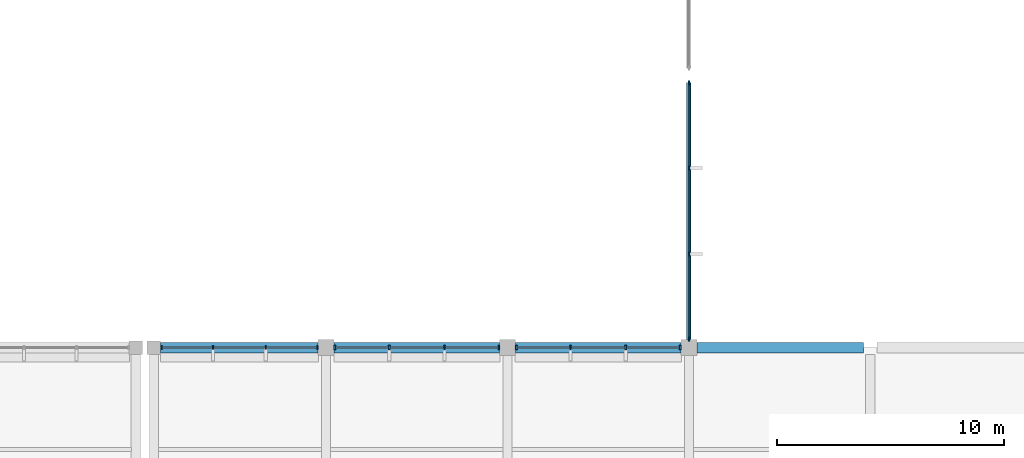
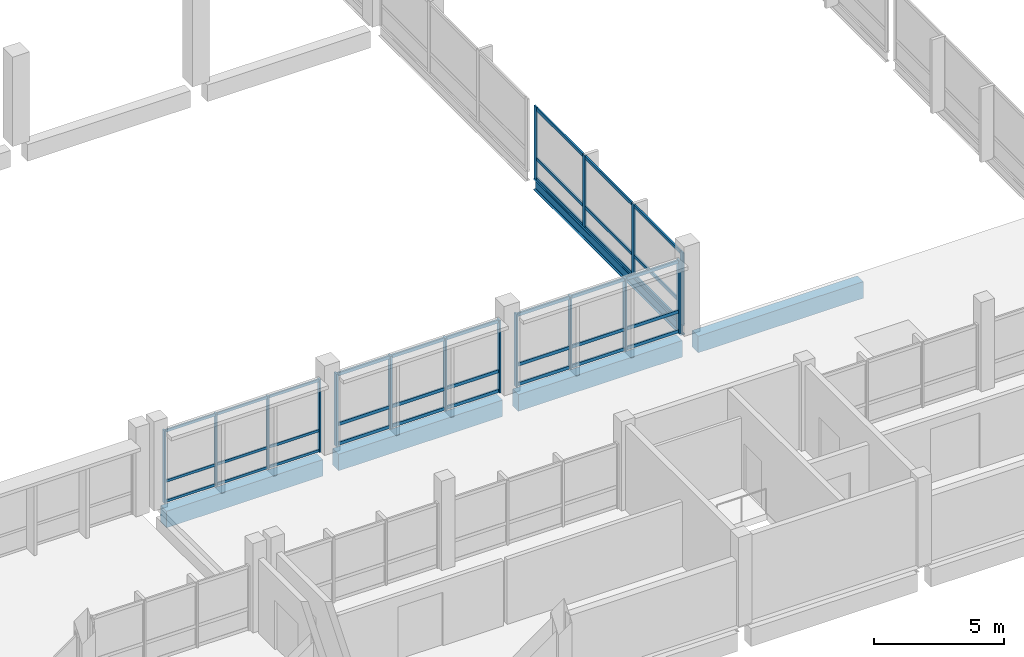
# One storey, part 14 of 70: 52 members, 5 beams, 4 elements without a shape of their own.
"""IFC4 building model written with IfcOpenShell, lengths in metres."""

from ifc_helpers import new_model, si_unit, direction, frame, origin, origin_2d, place, context, subcontext, project, spatial, rectangle, i_section, extrude, material, material_profile, profile_set, type_object, element, aggregate, save


model = new_model("IFC4")

# Units and contexts
model_context = context("Model", 3, precision=1e-05, world=origin(), true_north=direction((0.0, 1.0)))
body_context = subcontext(model_context, "Body", "Model", "MODEL_VIEW")
ifc_project = project(units=[si_unit("LENGTHUNIT", "METRE"), si_unit("AREAUNIT", "SQUARE_METRE"), si_unit("VOLUMEUNIT", "CUBIC_METRE"), si_unit("PLANEANGLEUNIT", "RADIAN"), si_unit("MASSUNIT", "GRAM", prefix="KILO"), si_unit("THERMODYNAMICTEMPERATUREUNIT", "KELVIN"), si_unit("POWERUNIT", "WATT")], contexts=[model_context])

# Site, building, storey
site_placement = place(None, origin())
site = spatial("IfcSite", under=ifc_project, at=site_placement, CompositionType="ELEMENT")
building_placement = place(site_placement, origin())
building = spatial("IfcBuilding", under=site, at=building_placement, Name="Kronsvod Quay Wholesale Market", CompositionType="ELEMENT")
storey_placement = place(building_placement, frame((0.0, 0.0, 9.0)))
storey = spatial("IfcBuildingStorey", under=building, at=storey_placement, Name="L02", CompositionType="ELEMENT", Elevation=9.0)

# Beams
ifc_material_1 = material(Name="Precast concrete C40/50", Category="concrete")
ifc_material_profile_1 = material_profile(ifc_material_1, rectangle(XDim=0.4599609375, YDim=0.780029296875, at=origin_2d()), Name="PB-03")
ifc_profile_set_1 = profile_set([ifc_material_profile_1], Name="Precast concrete C40/50")
beam_type_1 = type_object("IfcBeamType", Name="Beam_PCB460x780", PredefinedType="BEAM", material=ifc_profile_set_1)
beam_1_placement = place(storey_placement, frame((64.699951171875, 54.0, -0.64990234375), z_axis=(1.0, 0.0, 0.0), x_axis=(0.0, 1.0, 0.0)))
element("IfcBeam", 1, at=beam_1_placement, inside=storey, type_object=beam_type_1, Name="BMX-L02-644-540", PredefinedType="BEAM", context=body_context, shape_type="SweptSolid", body=[
    extrude(rectangle(XDim=0.4599609375, YDim=0.780029296875, at=origin_2d()), origin(), (0.0, 0.0, 1.0), 6.949951171875),
])
for number, where, z_axis, x_axis, name in (
    (2, (72.35009765625, 54.0, -0.64990234375), (1.0, 0.0, 0.0), (0.0, 1.0, 0.0), "BMX-L02-720-540"),
    (3, (80.35009765625, 54.0, -0.64990234375), (1.0, 0.0, 0.0), (0.0, 1.0, 0.0), "BMX-L02-800-540"),
):
    element("IfcBeam", number, at=place(storey_placement, frame(where, z_axis=z_axis, x_axis=x_axis)), inside=storey, type_object=beam_type_1, Name=name, PredefinedType="BEAM", context=body_context, shape_type="SweptSolid", body=[
        extrude(rectangle(XDim=0.4599609375, YDim=0.780029296875, at=origin_2d()), origin(), (0.0, 0.0, 1.0), 7.2998046875),
    ])
beam_2_placement = place(storey_placement, frame((88.35009765625, 54.0, -0.699951171875), z_axis=(1.0, 0.0, 0.0), x_axis=(0.0, 1.0, 0.0)))
element("IfcBeam", 4, at=beam_2_placement, inside=storey, type_object=beam_type_1, Name="BMX-L02-880-540", PredefinedType="BEAM", context=body_context, shape_type="SweptSolid", body=[
    extrude(rectangle(XDim=0.4599609375, YDim=0.780029296875, at=origin_2d()), origin(), (0.0, 0.0, 1.0), 7.349853515625),
])
ifc_material_2 = material(Name="Steel S355", Category="steel")
ifc_material_profile_2 = material_profile(ifc_material_2, i_section(OverallWidth=0.198974609375, OverallDepth=0.49609375, WebThickness=0.009033203125, FlangeThickness=0.013916015625, FilletRadius=0.02001953125, at=origin_2d()), Name="50B1")
ifc_profile_set_2 = profile_set([ifc_material_profile_2], Name="Steel S355")
beam_type_2 = type_object("IfcBeamType", Name="Girder_Steel50B1", PredefinedType="T_BEAM", material=ifc_profile_set_2)
beam_3_placement = place(storey_placement, frame((88.0, 54.35009765625, -0.22802734375), z_axis=(0.0, 1.0, 0.0), x_axis=(-1.0, 0.0, 0.0)))
element("IfcBeam", 5, at=beam_3_placement, inside=storey, type_object=beam_type_2, Name="BMY-L02-880-540", PredefinedType="T_BEAM", context=body_context, shape_type="SweptSolid", body=[
    extrude(i_section(OverallWidth=0.198974609375, OverallDepth=0.49609375, WebThickness=0.009033203125, FlangeThickness=0.013916015625, FilletRadius=0.02001953125, at=origin_2d()), origin(), (0.0, 0.0, 1.0), 11.349853515625),
])

# Curtain wall, members
ifc_material_3 = material(Name="Thermally broken aluminium and triple low-E glazing", Category="aluminium")
curtain_wall_type_1 = type_object("IfcCurtainWallType", Name="CW_Clerestory80x32", PredefinedType="NOTDEFINED", material=ifc_material_3)
curtain_wall_1_placement = place(storey_placement, origin())
curtain_wall_1 = element("IfcCurtainWall", 6, at=curtain_wall_1_placement, inside=storey, type_object=curtain_wall_type_1, Name="CWGX-L02-644-540", PredefinedType="NOTDEFINED")
ifc_material_4 = material(Name="Anodised aluminium", Category="aluminium")
ifc_material_profile_3 = material_profile(ifc_material_4, rectangle(XDim=0.06494140625, YDim=0.159912109375, at=origin_2d()), Name="ALUM65x160")
ifc_profile_set_3 = profile_set([ifc_material_profile_3], Name="Anodised aluminium")
member_type_1 = type_object("IfcMemberType", Name="Mullion_ALU65x160", PredefinedType="MULLION", material=ifc_profile_set_3)
member_1_placement = place(storey_placement, frame((64.7275390625, 54.0, 0.0), z_axis=(0.0, 0.0, 1.0), x_axis=(1.0, 0.0, 0.0)))
member_1 = element("IfcMember", 7, at=member_1_placement, type_object=member_type_1, Name="CWGX-L02-644-540-M1", PredefinedType="MULLION", context=body_context, shape_type="SweptSolid", body=[
    extrude(rectangle(XDim=0.06494140625, YDim=0.159912109375, at=origin_2d()), origin(), (0.0, 0.0, 1.0), 3.419921875),
])
member_2_placement = place(storey_placement, frame((67.014892578125, 54.0, 0.0), z_axis=(0.0, 0.0, 1.0), x_axis=(1.0, 0.0, 0.0)))
member_2 = element("IfcMember", 8, at=member_2_placement, type_object=member_type_1, Name="CWGX-L02-644-540-M2", PredefinedType="MULLION", context=body_context, shape_type="SweptSolid", body=[
    extrude(rectangle(XDim=0.06494140625, YDim=0.159912109375, at=origin_2d()), origin(), (0.0, 0.0, 1.0), 3.419921875),
])
member_3_placement = place(storey_placement, frame((69.3349609375, 54.0, 0.0), z_axis=(0.0, 0.0, 1.0), x_axis=(1.0, 0.0, 0.0)))
member_3 = element("IfcMember", 9, at=member_3_placement, type_object=member_type_1, Name="CWGX-L02-644-540-M3", PredefinedType="MULLION", context=body_context, shape_type="SweptSolid", body=[
    extrude(rectangle(XDim=0.06494140625, YDim=0.159912109375, at=origin_2d()), origin(), (0.0, 0.0, 1.0), 3.419921875),
])
member_4_placement = place(storey_placement, frame((71.62255859375, 54.0, 0.0), z_axis=(0.0, 0.0, 1.0), x_axis=(1.0, 0.0, 0.0)))
member_4 = element("IfcMember", 10, at=member_4_placement, type_object=member_type_1, Name="CWGX-L02-644-540-M4", PredefinedType="MULLION", context=body_context, shape_type="SweptSolid", body=[
    extrude(rectangle(XDim=0.06494140625, YDim=0.159912109375, at=origin_2d()), origin(), (0.0, 0.0, 1.0), 3.419921875),
])

curtain_wall_2_placement = place(storey_placement, origin())
curtain_wall_2 = element("IfcCurtainWall", 11, at=curtain_wall_2_placement, inside=storey, type_object=curtain_wall_type_1, Name="CWGX-L02-720-540", PredefinedType="NOTDEFINED")
ifc_material_5 = material(Name="Anodised aluminium", Category="aluminium")
ifc_material_profile_4 = material_profile(ifc_material_5, rectangle(XDim=0.074951171875, YDim=0.199951171875, at=origin_2d()), Name="ALUM75x200")
ifc_profile_set_4 = profile_set([ifc_material_profile_4], Name="Anodised aluminium")
member_type_2 = type_object("IfcMemberType", Name="Mullion_ALU75x200", PredefinedType="MULLION", material=ifc_profile_set_4)
member_5_placement = place(storey_placement, frame((72.382568359375, 54.0, 0.0), z_axis=(0.0, 0.0, 1.0), x_axis=(1.0, 0.0, 0.0)))
member_5 = element("IfcMember", 12, at=member_5_placement, type_object=member_type_2, Name="CWGX-L02-720-540-M1", PredefinedType="MULLION", context=body_context, shape_type="SweptSolid", body=[
    extrude(rectangle(XDim=0.074951171875, YDim=0.199951171875, at=origin_2d()), origin(), (0.0, 0.0, 1.0), 3.419921875),
])
member_6_placement = place(storey_placement, frame((74.78173828125, 54.0, 0.0), z_axis=(0.0, 0.0, 1.0), x_axis=(1.0, 0.0, 0.0)))
member_6 = element("IfcMember", 13, at=member_6_placement, type_object=member_type_2, Name="CWGX-L02-720-540-M2", PredefinedType="MULLION", context=body_context, shape_type="SweptSolid", body=[
    extrude(rectangle(XDim=0.074951171875, YDim=0.199951171875, at=origin_2d()), origin(), (0.0, 0.0, 1.0), 3.419921875),
])
member_7_placement = place(storey_placement, frame((77.21826171875, 54.0, 0.0), z_axis=(0.0, 0.0, 1.0), x_axis=(1.0, 0.0, 0.0)))
member_7 = element("IfcMember", 14, at=member_7_placement, type_object=member_type_2, Name="CWGX-L02-720-540-M3", PredefinedType="MULLION", context=body_context, shape_type="SweptSolid", body=[
    extrude(rectangle(XDim=0.074951171875, YDim=0.199951171875, at=origin_2d()), origin(), (0.0, 0.0, 1.0), 3.419921875),
])
member_8_placement = place(storey_placement, frame((79.617431640625, 54.0, 0.0), z_axis=(0.0, 0.0, 1.0), x_axis=(1.0, 0.0, 0.0)))
member_8 = element("IfcMember", 15, at=member_8_placement, type_object=member_type_2, Name="CWGX-L02-720-540-M4", PredefinedType="MULLION", context=body_context, shape_type="SweptSolid", body=[
    extrude(rectangle(XDim=0.074951171875, YDim=0.199951171875, at=origin_2d()), origin(), (0.0, 0.0, 1.0), 3.419921875),
])

curtain_wall_3_placement = place(storey_placement, origin())
curtain_wall_3 = element("IfcCurtainWall", 16, at=curtain_wall_3_placement, inside=storey, type_object=curtain_wall_type_1, Name="CWGX-L02-800-540", PredefinedType="NOTDEFINED")
member_9_placement = place(storey_placement, frame((80.382568359375, 54.0, 0.0), z_axis=(0.0, 0.0, 1.0), x_axis=(1.0, 0.0, 0.0)))
member_9 = element("IfcMember", 17, at=member_9_placement, type_object=member_type_2, Name="CWGX-L02-800-540-M1", PredefinedType="MULLION", context=body_context, shape_type="SweptSolid", body=[
    extrude(rectangle(XDim=0.074951171875, YDim=0.199951171875, at=origin_2d()), origin(), (0.0, 0.0, 1.0), 3.419921875),
])
member_10_placement = place(storey_placement, frame((82.78173828125, 54.0, 0.0), z_axis=(0.0, 0.0, 1.0), x_axis=(1.0, 0.0, 0.0)))
member_10 = element("IfcMember", 18, at=member_10_placement, type_object=member_type_2, Name="CWGX-L02-800-540-M2", PredefinedType="MULLION", context=body_context, shape_type="SweptSolid", body=[
    extrude(rectangle(XDim=0.074951171875, YDim=0.199951171875, at=origin_2d()), origin(), (0.0, 0.0, 1.0), 3.419921875),
])
member_11_placement = place(storey_placement, frame((85.21826171875, 54.0, 0.0), z_axis=(0.0, 0.0, 1.0), x_axis=(1.0, 0.0, 0.0)))
member_11 = element("IfcMember", 19, at=member_11_placement, type_object=member_type_2, Name="CWGX-L02-800-540-M3", PredefinedType="MULLION", context=body_context, shape_type="SweptSolid", body=[
    extrude(rectangle(XDim=0.074951171875, YDim=0.199951171875, at=origin_2d()), origin(), (0.0, 0.0, 1.0), 3.419921875),
])
member_12_placement = place(storey_placement, frame((87.617431640625, 54.0, 0.0), z_axis=(0.0, 0.0, 1.0), x_axis=(1.0, 0.0, 0.0)))
member_12 = element("IfcMember", 20, at=member_12_placement, type_object=member_type_2, Name="CWGX-L02-800-540-M4", PredefinedType="MULLION", context=body_context, shape_type="SweptSolid", body=[
    extrude(rectangle(XDim=0.074951171875, YDim=0.199951171875, at=origin_2d()), origin(), (0.0, 0.0, 1.0), 3.419921875),
])

ifc_material_6 = material(Name="Thermally broken aluminium and triple low-E glazing", Category="aluminium")
curtain_wall_type_2 = type_object("IfcCurtainWallType", Name="CW_Court120x35", PredefinedType="NOTDEFINED", material=ifc_material_6)
curtain_wall_4_placement = place(storey_placement, origin())
curtain_wall_4 = element("IfcCurtainWall", 21, at=curtain_wall_4_placement, inside=storey, type_object=curtain_wall_type_2, Name="CWGY-L02-880-540", PredefinedType="NOTDEFINED")
member_13_placement = place(storey_placement, frame((88.0, 54.382568359375, 0.0), z_axis=(0.0, 0.0, 1.0), x_axis=(1.0, 0.0, 0.0)))
member_13 = element("IfcMember", 22, at=member_13_placement, type_object=member_type_2, Name="CWGY-L02-880-540-M1", PredefinedType="MULLION", context=body_context, shape_type="SweptSolid", body=[
    extrude(rectangle(XDim=0.074951171875, YDim=0.199951171875, at=origin_2d()), origin(), (0.0, 0.0, 1.0), 3.419921875),
])
member_14_placement = place(storey_placement, frame((88.0, 58.131591796875, 0.0), z_axis=(0.0, 0.0, 1.0), x_axis=(1.0, 0.0, 0.0)))
member_14 = element("IfcMember", 23, at=member_14_placement, type_object=member_type_2, Name="CWGY-L02-880-540-M2", PredefinedType="MULLION", context=body_context, shape_type="SweptSolid", body=[
    extrude(rectangle(XDim=0.074951171875, YDim=0.199951171875, at=origin_2d()), origin(), (0.0, 0.0, 1.0), 3.419921875),
])
member_15_placement = place(storey_placement, frame((88.0, 61.918212890625, 0.0), z_axis=(0.0, 0.0, 1.0), x_axis=(1.0, 0.0, 0.0)))
member_15 = element("IfcMember", 24, at=member_15_placement, type_object=member_type_2, Name="CWGY-L02-880-540-M3", PredefinedType="MULLION", context=body_context, shape_type="SweptSolid", body=[
    extrude(rectangle(XDim=0.074951171875, YDim=0.199951171875, at=origin_2d()), origin(), (0.0, 0.0, 1.0), 3.419921875),
])
member_16_placement = place(storey_placement, frame((88.0, 65.66748046875, 0.0), z_axis=(0.0, 0.0, 1.0), x_axis=(1.0, 0.0, 0.0)))
member_16 = element("IfcMember", 25, at=member_16_placement, type_object=member_type_2, Name="CWGY-L02-880-540-M4", PredefinedType="MULLION", context=body_context, shape_type="SweptSolid", body=[
    extrude(rectangle(XDim=0.074951171875, YDim=0.199951171875, at=origin_2d()), origin(), (0.0, 0.0, 1.0), 3.419921875),
])

# Member
ifc_material_7 = material(Name="Anodised aluminium", Category="aluminium")
ifc_material_profile_5 = material_profile(ifc_material_7, rectangle(XDim=0.06494140625, YDim=0.1201171875, at=origin_2d()), Name="ALUT65x120")
ifc_profile_set_5 = profile_set([ifc_material_profile_5], Name="Anodised aluminium")
member_type_3 = type_object("IfcMemberType", Name="Transom_ALU65x120", PredefinedType="USERDEFINED", material=ifc_profile_set_5)
member_17_placement = place(storey_placement, frame((64.760009765625, 54.0, 0.06005859375), z_axis=(1.0, 0.0, 0.0), x_axis=(0.0, 1.0, 0.0)))
member_17 = element("IfcMember", 26, at=member_17_placement, type_object=member_type_3, Name="CWGX-L02-644-540-T1B1", ObjectType="TRANSOM", PredefinedType="USERDEFINED", context=body_context, shape_type="SweptSolid", body=[
    extrude(rectangle(XDim=0.06494140625, YDim=0.1201171875, at=origin_2d()), origin(), (0.0, 0.0, 1.0), 2.222412109375),
])

member_18_placement = place(storey_placement, frame((67.047607421875, 54.0, 0.06005859375), z_axis=(1.0, 0.0, 0.0), x_axis=(0.0, 1.0, 0.0)))
member_18 = element("IfcMember", 27, at=member_18_placement, type_object=member_type_3, Name="CWGX-L02-644-540-T1B2", ObjectType="TRANSOM", PredefinedType="USERDEFINED", context=body_context, shape_type="SweptSolid", body=[
    extrude(rectangle(XDim=0.06494140625, YDim=0.1201171875, at=origin_2d()), origin(), (0.0, 0.0, 1.0), 2.2548828125),
])

member_19_placement = place(storey_placement, frame((69.367431640625, 54.0, 0.06005859375), z_axis=(1.0, 0.0, 0.0), x_axis=(0.0, 1.0, 0.0)))
member_19 = element("IfcMember", 28, at=member_19_placement, type_object=member_type_3, Name="CWGX-L02-644-540-T1B3", ObjectType="TRANSOM", PredefinedType="USERDEFINED", context=body_context, shape_type="SweptSolid", body=[
    extrude(rectangle(XDim=0.06494140625, YDim=0.1201171875, at=origin_2d()), origin(), (0.0, 0.0, 1.0), 2.22265625),
])

member_20_placement = place(storey_placement, frame((64.760009765625, 54.0, 1.0), z_axis=(1.0, 0.0, 0.0), x_axis=(0.0, 1.0, 0.0)))
member_20 = element("IfcMember", 29, at=member_20_placement, type_object=member_type_3, Name="CWGX-L02-644-540-T2B1", ObjectType="TRANSOM", PredefinedType="USERDEFINED", context=body_context, shape_type="SweptSolid", body=[
    extrude(rectangle(XDim=0.06494140625, YDim=0.1201171875, at=origin_2d()), origin(), (0.0, 0.0, 1.0), 2.222412109375),
])

member_21_placement = place(storey_placement, frame((67.047607421875, 54.0, 1.0), z_axis=(1.0, 0.0, 0.0), x_axis=(0.0, 1.0, 0.0)))
member_21 = element("IfcMember", 30, at=member_21_placement, type_object=member_type_3, Name="CWGX-L02-644-540-T2B2", ObjectType="TRANSOM", PredefinedType="USERDEFINED", context=body_context, shape_type="SweptSolid", body=[
    extrude(rectangle(XDim=0.06494140625, YDim=0.1201171875, at=origin_2d()), origin(), (0.0, 0.0, 1.0), 2.2548828125),
])

member_22_placement = place(storey_placement, frame((69.367431640625, 54.0, 1.0), z_axis=(1.0, 0.0, 0.0), x_axis=(0.0, 1.0, 0.0)))
member_22 = element("IfcMember", 31, at=member_22_placement, type_object=member_type_3, Name="CWGX-L02-644-540-T2B3", ObjectType="TRANSOM", PredefinedType="USERDEFINED", context=body_context, shape_type="SweptSolid", body=[
    extrude(rectangle(XDim=0.06494140625, YDim=0.1201171875, at=origin_2d()), origin(), (0.0, 0.0, 1.0), 2.22265625),
])

member_23_placement = place(storey_placement, frame((64.760009765625, 54.0, 3.360107421875), z_axis=(1.0, 0.0, 0.0), x_axis=(0.0, 1.0, 0.0)))
member_23 = element("IfcMember", 32, at=member_23_placement, type_object=member_type_3, Name="CWGX-L02-644-540-T3B1", ObjectType="TRANSOM", PredefinedType="USERDEFINED", context=body_context, shape_type="SweptSolid", body=[
    extrude(rectangle(XDim=0.06494140625, YDim=0.1201171875, at=origin_2d()), origin(), (0.0, 0.0, 1.0), 2.222412109375),
])

member_24_placement = place(storey_placement, frame((67.047607421875, 54.0, 3.360107421875), z_axis=(1.0, 0.0, 0.0), x_axis=(0.0, 1.0, 0.0)))
member_24 = element("IfcMember", 33, at=member_24_placement, type_object=member_type_3, Name="CWGX-L02-644-540-T3B2", ObjectType="TRANSOM", PredefinedType="USERDEFINED", context=body_context, shape_type="SweptSolid", body=[
    extrude(rectangle(XDim=0.06494140625, YDim=0.1201171875, at=origin_2d()), origin(), (0.0, 0.0, 1.0), 2.2548828125),
])

member_25_placement = place(storey_placement, frame((69.367431640625, 54.0, 3.360107421875), z_axis=(1.0, 0.0, 0.0), x_axis=(0.0, 1.0, 0.0)))
member_25 = element("IfcMember", 34, at=member_25_placement, type_object=member_type_3, Name="CWGX-L02-644-540-T3B3", ObjectType="TRANSOM", PredefinedType="USERDEFINED", context=body_context, shape_type="SweptSolid", body=[
    extrude(rectangle(XDim=0.06494140625, YDim=0.1201171875, at=origin_2d()), origin(), (0.0, 0.0, 1.0), 2.22265625),
])

aggregate(curtain_wall_1, [member_1, member_2, member_3, member_4, member_17, member_18, member_19, member_20, member_21, member_22, member_23, member_24, member_25])

ifc_material_8 = material(Name="Anodised aluminium", Category="aluminium")
ifc_material_profile_6 = material_profile(ifc_material_8, rectangle(XDim=0.074951171875, YDim=0.14990234375, at=origin_2d()), Name="ALUT75x150")
ifc_profile_set_6 = profile_set([ifc_material_profile_6], Name="Anodised aluminium")
member_type_4 = type_object("IfcMemberType", Name="Transom_ALU75x150", PredefinedType="USERDEFINED", material=ifc_profile_set_6)
member_26_placement = place(storey_placement, frame((72.419921875, 54.0, 0.074951171875), z_axis=(1.0, 0.0, 0.0), x_axis=(0.0, 1.0, 0.0)))
member_26 = element("IfcMember", 35, at=member_26_placement, type_object=member_type_4, Name="CWGX-L02-720-540-T1B1", ObjectType="TRANSOM", PredefinedType="USERDEFINED", context=body_context, shape_type="SweptSolid", body=[
    extrude(rectangle(XDim=0.074951171875, YDim=0.14990234375, at=origin_2d()), origin(), (0.0, 0.0, 1.0), 2.32421875),
])

member_27_placement = place(storey_placement, frame((74.819091796875, 54.0, 0.074951171875), z_axis=(1.0, 0.0, 0.0), x_axis=(0.0, 1.0, 0.0)))
member_27 = element("IfcMember", 36, at=member_27_placement, type_object=member_type_4, Name="CWGX-L02-720-540-T1B2", ObjectType="TRANSOM", PredefinedType="USERDEFINED", context=body_context, shape_type="SweptSolid", body=[
    extrude(rectangle(XDim=0.074951171875, YDim=0.14990234375, at=origin_2d()), origin(), (0.0, 0.0, 1.0), 2.36181640625),
])

member_28_placement = place(storey_placement, frame((77.255859375, 54.0, 0.074951171875), z_axis=(1.0, 0.0, 0.0), x_axis=(0.0, 1.0, 0.0)))
member_28 = element("IfcMember", 37, at=member_28_placement, type_object=member_type_4, Name="CWGX-L02-720-540-T1B3", ObjectType="TRANSOM", PredefinedType="USERDEFINED", context=body_context, shape_type="SweptSolid", body=[
    extrude(rectangle(XDim=0.074951171875, YDim=0.14990234375, at=origin_2d()), origin(), (0.0, 0.0, 1.0), 2.32421875),
])

member_29_placement = place(storey_placement, frame((72.419921875, 54.0, 1.0), z_axis=(1.0, 0.0, 0.0), x_axis=(0.0, 1.0, 0.0)))
member_29 = element("IfcMember", 38, at=member_29_placement, type_object=member_type_4, Name="CWGX-L02-720-540-T2B1", ObjectType="TRANSOM", PredefinedType="USERDEFINED", context=body_context, shape_type="SweptSolid", body=[
    extrude(rectangle(XDim=0.074951171875, YDim=0.14990234375, at=origin_2d()), origin(), (0.0, 0.0, 1.0), 2.32421875),
])

member_30_placement = place(storey_placement, frame((74.819091796875, 54.0, 1.0), z_axis=(1.0, 0.0, 0.0), x_axis=(0.0, 1.0, 0.0)))
member_30 = element("IfcMember", 39, at=member_30_placement, type_object=member_type_4, Name="CWGX-L02-720-540-T2B2", ObjectType="TRANSOM", PredefinedType="USERDEFINED", context=body_context, shape_type="SweptSolid", body=[
    extrude(rectangle(XDim=0.074951171875, YDim=0.14990234375, at=origin_2d()), origin(), (0.0, 0.0, 1.0), 2.36181640625),
])

member_31_placement = place(storey_placement, frame((77.255859375, 54.0, 1.0), z_axis=(1.0, 0.0, 0.0), x_axis=(0.0, 1.0, 0.0)))
member_31 = element("IfcMember", 40, at=member_31_placement, type_object=member_type_4, Name="CWGX-L02-720-540-T2B3", ObjectType="TRANSOM", PredefinedType="USERDEFINED", context=body_context, shape_type="SweptSolid", body=[
    extrude(rectangle(XDim=0.074951171875, YDim=0.14990234375, at=origin_2d()), origin(), (0.0, 0.0, 1.0), 2.32421875),
])

member_32_placement = place(storey_placement, frame((72.419921875, 54.0, 3.344970703125), z_axis=(1.0, 0.0, 0.0), x_axis=(0.0, 1.0, 0.0)))
member_32 = element("IfcMember", 41, at=member_32_placement, type_object=member_type_4, Name="CWGX-L02-720-540-T3B1", ObjectType="TRANSOM", PredefinedType="USERDEFINED", context=body_context, shape_type="SweptSolid", body=[
    extrude(rectangle(XDim=0.074951171875, YDim=0.14990234375, at=origin_2d()), origin(), (0.0, 0.0, 1.0), 2.32421875),
])

member_33_placement = place(storey_placement, frame((74.819091796875, 54.0, 3.344970703125), z_axis=(1.0, 0.0, 0.0), x_axis=(0.0, 1.0, 0.0)))
member_33 = element("IfcMember", 42, at=member_33_placement, type_object=member_type_4, Name="CWGX-L02-720-540-T3B2", ObjectType="TRANSOM", PredefinedType="USERDEFINED", context=body_context, shape_type="SweptSolid", body=[
    extrude(rectangle(XDim=0.074951171875, YDim=0.14990234375, at=origin_2d()), origin(), (0.0, 0.0, 1.0), 2.36181640625),
])

member_34_placement = place(storey_placement, frame((77.255859375, 54.0, 3.344970703125), z_axis=(1.0, 0.0, 0.0), x_axis=(0.0, 1.0, 0.0)))
member_34 = element("IfcMember", 43, at=member_34_placement, type_object=member_type_4, Name="CWGX-L02-720-540-T3B3", ObjectType="TRANSOM", PredefinedType="USERDEFINED", context=body_context, shape_type="SweptSolid", body=[
    extrude(rectangle(XDim=0.074951171875, YDim=0.14990234375, at=origin_2d()), origin(), (0.0, 0.0, 1.0), 2.32421875),
])

aggregate(curtain_wall_2, [member_5, member_6, member_7, member_8, member_26, member_27, member_28, member_29, member_30, member_31, member_32, member_33, member_34])

member_35_placement = place(storey_placement, frame((80.419921875, 54.0, 0.074951171875), z_axis=(1.0, 0.0, 0.0), x_axis=(0.0, 1.0, 0.0)))
member_35 = element("IfcMember", 44, at=member_35_placement, type_object=member_type_4, Name="CWGX-L02-800-540-T1B1", ObjectType="TRANSOM", PredefinedType="USERDEFINED", context=body_context, shape_type="SweptSolid", body=[
    extrude(rectangle(XDim=0.074951171875, YDim=0.14990234375, at=origin_2d()), origin(), (0.0, 0.0, 1.0), 2.32421875),
])

member_36_placement = place(storey_placement, frame((82.819091796875, 54.0, 0.074951171875), z_axis=(1.0, 0.0, 0.0), x_axis=(0.0, 1.0, 0.0)))
member_36 = element("IfcMember", 45, at=member_36_placement, type_object=member_type_4, Name="CWGX-L02-800-540-T1B2", ObjectType="TRANSOM", PredefinedType="USERDEFINED", context=body_context, shape_type="SweptSolid", body=[
    extrude(rectangle(XDim=0.074951171875, YDim=0.14990234375, at=origin_2d()), origin(), (0.0, 0.0, 1.0), 2.36181640625),
])

member_37_placement = place(storey_placement, frame((85.255859375, 54.0, 0.074951171875), z_axis=(1.0, 0.0, 0.0), x_axis=(0.0, 1.0, 0.0)))
member_37 = element("IfcMember", 46, at=member_37_placement, type_object=member_type_4, Name="CWGX-L02-800-540-T1B3", ObjectType="TRANSOM", PredefinedType="USERDEFINED", context=body_context, shape_type="SweptSolid", body=[
    extrude(rectangle(XDim=0.074951171875, YDim=0.14990234375, at=origin_2d()), origin(), (0.0, 0.0, 1.0), 2.32421875),
])

member_38_placement = place(storey_placement, frame((80.419921875, 54.0, 1.0), z_axis=(1.0, 0.0, 0.0), x_axis=(0.0, 1.0, 0.0)))
member_38 = element("IfcMember", 47, at=member_38_placement, type_object=member_type_4, Name="CWGX-L02-800-540-T2B1", ObjectType="TRANSOM", PredefinedType="USERDEFINED", context=body_context, shape_type="SweptSolid", body=[
    extrude(rectangle(XDim=0.074951171875, YDim=0.14990234375, at=origin_2d()), origin(), (0.0, 0.0, 1.0), 2.32421875),
])

member_39_placement = place(storey_placement, frame((82.819091796875, 54.0, 1.0), z_axis=(1.0, 0.0, 0.0), x_axis=(0.0, 1.0, 0.0)))
member_39 = element("IfcMember", 48, at=member_39_placement, type_object=member_type_4, Name="CWGX-L02-800-540-T2B2", ObjectType="TRANSOM", PredefinedType="USERDEFINED", context=body_context, shape_type="SweptSolid", body=[
    extrude(rectangle(XDim=0.074951171875, YDim=0.14990234375, at=origin_2d()), origin(), (0.0, 0.0, 1.0), 2.36181640625),
])

member_40_placement = place(storey_placement, frame((85.255859375, 54.0, 1.0), z_axis=(1.0, 0.0, 0.0), x_axis=(0.0, 1.0, 0.0)))
member_40 = element("IfcMember", 49, at=member_40_placement, type_object=member_type_4, Name="CWGX-L02-800-540-T2B3", ObjectType="TRANSOM", PredefinedType="USERDEFINED", context=body_context, shape_type="SweptSolid", body=[
    extrude(rectangle(XDim=0.074951171875, YDim=0.14990234375, at=origin_2d()), origin(), (0.0, 0.0, 1.0), 2.32421875),
])

member_41_placement = place(storey_placement, frame((80.419921875, 54.0, 3.344970703125), z_axis=(1.0, 0.0, 0.0), x_axis=(0.0, 1.0, 0.0)))
member_41 = element("IfcMember", 50, at=member_41_placement, type_object=member_type_4, Name="CWGX-L02-800-540-T3B1", ObjectType="TRANSOM", PredefinedType="USERDEFINED", context=body_context, shape_type="SweptSolid", body=[
    extrude(rectangle(XDim=0.074951171875, YDim=0.14990234375, at=origin_2d()), origin(), (0.0, 0.0, 1.0), 2.32421875),
])

member_42_placement = place(storey_placement, frame((82.819091796875, 54.0, 3.344970703125), z_axis=(1.0, 0.0, 0.0), x_axis=(0.0, 1.0, 0.0)))
member_42 = element("IfcMember", 51, at=member_42_placement, type_object=member_type_4, Name="CWGX-L02-800-540-T3B2", ObjectType="TRANSOM", PredefinedType="USERDEFINED", context=body_context, shape_type="SweptSolid", body=[
    extrude(rectangle(XDim=0.074951171875, YDim=0.14990234375, at=origin_2d()), origin(), (0.0, 0.0, 1.0), 2.36181640625),
])

member_43_placement = place(storey_placement, frame((85.255859375, 54.0, 3.344970703125), z_axis=(1.0, 0.0, 0.0), x_axis=(0.0, 1.0, 0.0)))
member_43 = element("IfcMember", 52, at=member_43_placement, type_object=member_type_4, Name="CWGX-L02-800-540-T3B3", ObjectType="TRANSOM", PredefinedType="USERDEFINED", context=body_context, shape_type="SweptSolid", body=[
    extrude(rectangle(XDim=0.074951171875, YDim=0.14990234375, at=origin_2d()), origin(), (0.0, 0.0, 1.0), 2.32421875),
])

aggregate(curtain_wall_3, [member_9, member_10, member_11, member_12, member_35, member_36, member_37, member_38, member_39, member_40, member_41, member_42, member_43])

member_44_placement = place(storey_placement, frame((88.0, 54.419921875, 0.074951171875), z_axis=(0.0, 1.0, 0.0), x_axis=(-1.0, 0.0, 0.0)))
member_44 = element("IfcMember", 53, at=member_44_placement, type_object=member_type_4, Name="CWGY-L02-880-540-T1B1", ObjectType="TRANSOM", PredefinedType="USERDEFINED", context=body_context, shape_type="SweptSolid", body=[
    extrude(rectangle(XDim=0.074951171875, YDim=0.14990234375, at=origin_2d()), origin(), (0.0, 0.0, 1.0), 3.67431640625),
])

member_45_placement = place(storey_placement, frame((88.0, 58.169189453125, 0.074951171875), z_axis=(0.0, 1.0, 0.0), x_axis=(-1.0, 0.0, 0.0)))
member_45 = element("IfcMember", 54, at=member_45_placement, type_object=member_type_4, Name="CWGY-L02-880-540-T1B2", ObjectType="TRANSOM", PredefinedType="USERDEFINED", context=body_context, shape_type="SweptSolid", body=[
    extrude(rectangle(XDim=0.074951171875, YDim=0.14990234375, at=origin_2d()), origin(), (0.0, 0.0, 1.0), 3.711669921875),
])

member_46_placement = place(storey_placement, frame((88.0, 61.955810546875, 0.074951171875), z_axis=(0.0, 1.0, 0.0), x_axis=(-1.0, 0.0, 0.0)))
member_46 = element("IfcMember", 55, at=member_46_placement, type_object=member_type_4, Name="CWGY-L02-880-540-T1B3", ObjectType="TRANSOM", PredefinedType="USERDEFINED", context=body_context, shape_type="SweptSolid", body=[
    extrude(rectangle(XDim=0.074951171875, YDim=0.14990234375, at=origin_2d()), origin(), (0.0, 0.0, 1.0), 3.674072265625),
])

member_47_placement = place(storey_placement, frame((88.0, 54.419921875, 1.0), z_axis=(0.0, 1.0, 0.0), x_axis=(-1.0, 0.0, 0.0)))
member_47 = element("IfcMember", 56, at=member_47_placement, type_object=member_type_4, Name="CWGY-L02-880-540-T2B1", ObjectType="TRANSOM", PredefinedType="USERDEFINED", context=body_context, shape_type="SweptSolid", body=[
    extrude(rectangle(XDim=0.074951171875, YDim=0.14990234375, at=origin_2d()), origin(), (0.0, 0.0, 1.0), 3.67431640625),
])

member_48_placement = place(storey_placement, frame((88.0, 58.169189453125, 1.0), z_axis=(0.0, 1.0, 0.0), x_axis=(-1.0, 0.0, 0.0)))
member_48 = element("IfcMember", 57, at=member_48_placement, type_object=member_type_4, Name="CWGY-L02-880-540-T2B2", ObjectType="TRANSOM", PredefinedType="USERDEFINED", context=body_context, shape_type="SweptSolid", body=[
    extrude(rectangle(XDim=0.074951171875, YDim=0.14990234375, at=origin_2d()), origin(), (0.0, 0.0, 1.0), 3.711669921875),
])

member_49_placement = place(storey_placement, frame((88.0, 61.955810546875, 1.0), z_axis=(0.0, 1.0, 0.0), x_axis=(-1.0, 0.0, 0.0)))
member_49 = element("IfcMember", 58, at=member_49_placement, type_object=member_type_4, Name="CWGY-L02-880-540-T2B3", ObjectType="TRANSOM", PredefinedType="USERDEFINED", context=body_context, shape_type="SweptSolid", body=[
    extrude(rectangle(XDim=0.074951171875, YDim=0.14990234375, at=origin_2d()), origin(), (0.0, 0.0, 1.0), 3.674072265625),
])

member_50_placement = place(storey_placement, frame((88.0, 54.419921875, 3.344970703125), z_axis=(0.0, 1.0, 0.0), x_axis=(-1.0, 0.0, 0.0)))
member_50 = element("IfcMember", 59, at=member_50_placement, type_object=member_type_4, Name="CWGY-L02-880-540-T3B1", ObjectType="TRANSOM", PredefinedType="USERDEFINED", context=body_context, shape_type="SweptSolid", body=[
    extrude(rectangle(XDim=0.074951171875, YDim=0.14990234375, at=origin_2d()), origin(), (0.0, 0.0, 1.0), 3.67431640625),
])

member_51_placement = place(storey_placement, frame((88.0, 58.169189453125, 3.344970703125), z_axis=(0.0, 1.0, 0.0), x_axis=(-1.0, 0.0, 0.0)))
member_51 = element("IfcMember", 60, at=member_51_placement, type_object=member_type_4, Name="CWGY-L02-880-540-T3B2", ObjectType="TRANSOM", PredefinedType="USERDEFINED", context=body_context, shape_type="SweptSolid", body=[
    extrude(rectangle(XDim=0.074951171875, YDim=0.14990234375, at=origin_2d()), origin(), (0.0, 0.0, 1.0), 3.711669921875),
])

member_52_placement = place(storey_placement, frame((88.0, 61.955810546875, 3.344970703125), z_axis=(0.0, 1.0, 0.0), x_axis=(-1.0, 0.0, 0.0)))
member_52 = element("IfcMember", 61, at=member_52_placement, type_object=member_type_4, Name="CWGY-L02-880-540-T3B3", ObjectType="TRANSOM", PredefinedType="USERDEFINED", context=body_context, shape_type="SweptSolid", body=[
    extrude(rectangle(XDim=0.074951171875, YDim=0.14990234375, at=origin_2d()), origin(), (0.0, 0.0, 1.0), 3.674072265625),
])

aggregate(curtain_wall_4, [member_13, member_14, member_15, member_16, member_44, member_45, member_46, member_47, member_48, member_49, member_50, member_51, member_52])

save(model, "model.ifc")
